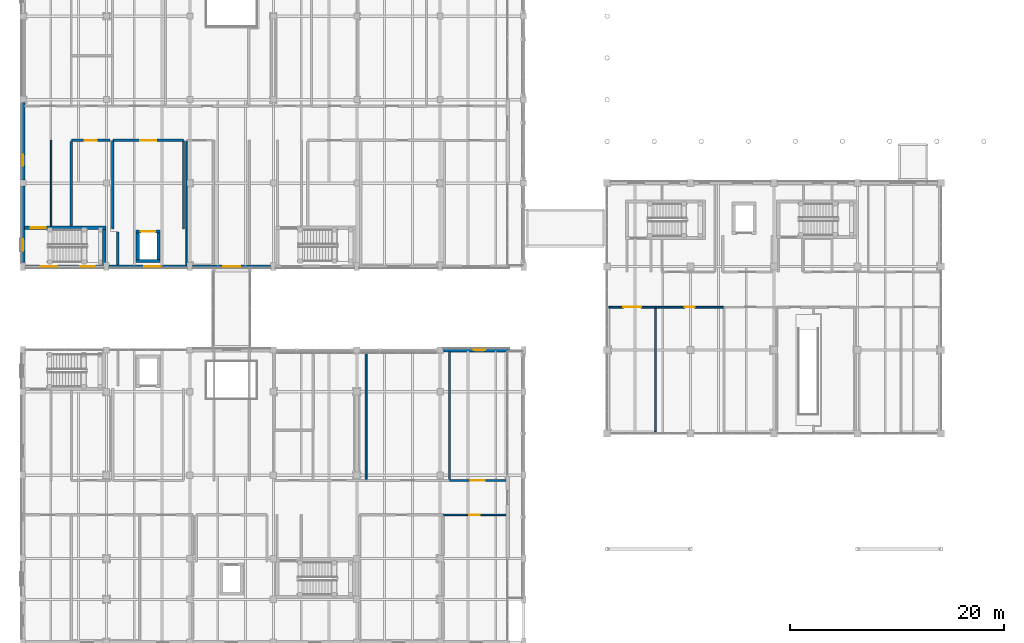
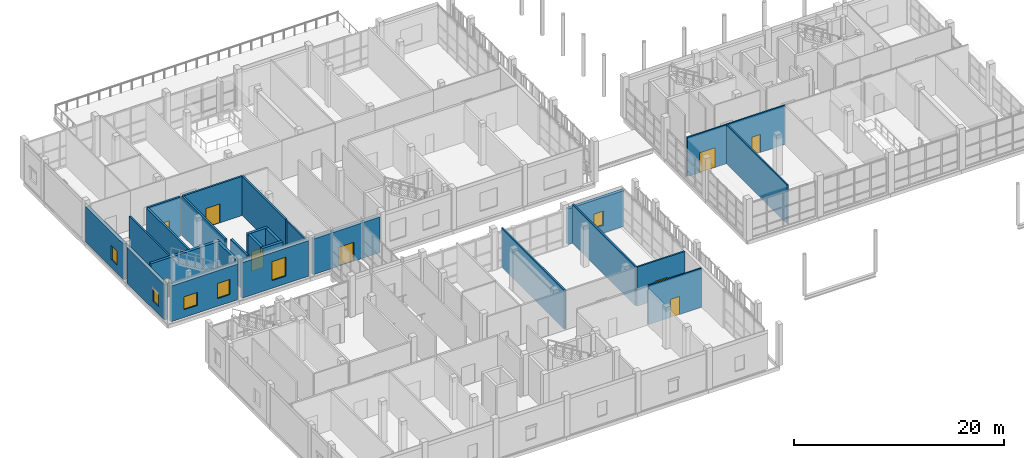
# One storey, part 102 of 138: 27 walls, 9 doors, 6 windows, 15 openings.
"""IFC4 building model written with IfcOpenShell, lengths in metres."""

from ifc_helpers import new_model, si_unit, direction, frame, frame_2d, origin, place, context, subcontext, project, spatial, rectangle, extrude, material, layer, layer_set, type_object, element, fill, save


model = new_model("IFC4")

# Units and contexts
model_context = context("Model", 3, precision=1e-05, world=origin(), true_north=direction((0.0, 1.0)))
body_context = subcontext(model_context, "Body", "Model", "MODEL_VIEW")
ifc_project = project(units=[si_unit("LENGTHUNIT", "METRE"), si_unit("AREAUNIT", "SQUARE_METRE"), si_unit("VOLUMEUNIT", "CUBIC_METRE"), si_unit("PLANEANGLEUNIT", "RADIAN"), si_unit("MASSUNIT", "GRAM", prefix="KILO")], contexts=[model_context])

# Site, building, storey
site_placement = place(None, origin())
site = spatial("IfcSite", under=ifc_project, at=site_placement, CompositionType="ELEMENT")
building_placement = place(site_placement, origin())
building = spatial("IfcBuilding", under=site, at=building_placement, Name="Celorna Specialist Clinic", CompositionType="ELEMENT")
storey_placement = place(building_placement, frame((0.0, 0.0, 4.800048828125)))
storey = spatial("IfcBuildingStorey", under=building, at=storey_placement, Name="L01", CompositionType="ELEMENT", Elevation=4.800048828125)

# Wall, openings, windows
ifc_material_1 = material(Name="Pero Pinheiro Lioz limestone insulated masonry", Category="masonry")
ifc_layer_1 = layer(ifc_material_1, 0.340087890625, Name="Pero Pinheiro Lioz limestone insulated masonry")
ifc_layer_set_1 = layer_set([ifc_layer_1], Name="Pero Pinheiro Lioz limestone insulated masonry")
wall_type_1 = type_object("IfcWallType", Name="WT-07", PredefinedType="STANDARD", material=ifc_layer_set_1)
wall_1_placement = place(storey_placement, frame((7.550048828125, 35.10009765625, 0.0), z_axis=(0.0, 0.0, 1.0), x_axis=(-1.0, 0.0, 0.0)))
wall_1 = element("IfcWall", 1, at=wall_1_placement, inside=storey, type_object=wall_type_1, Name="External facade wall WT-07 #117", PredefinedType="STANDARD", context=body_context, shape_type="SweptSolid", body=[
    extrude(rectangle(XDim=7.300048828125, YDim=0.340087890625, at=frame_2d((3.64990234375, 0.0))), origin(), (0.0, 0.0, 1.0), 4.139892578125),
])
opening_1_placement = place(wall_1_placement, frame((0.85009765625, 0.0, 0.89990234375)))
opening_1 = element("IfcOpeningElement", 2, at=opening_1_placement, cuts=wall_1, Name="Opening WN-07", PredefinedType="OPENING", context=body_context, shape_type="SweptSolid", body=[
    extrude(rectangle(XDim=1.35009765625, YDim=1.75, at=frame_2d((0.675048828125, 0.875))), frame((0.0, 0.179931640625, 0.0), z_axis=(0.0, -1.0, 0.0), x_axis=(1.0, 0.0, 0.0)), (0.0, 0.0, 1.0), 0.360107421875),
])
opening_2_placement = place(wall_1_placement, frame((4.405029296875, 0.0, 0.89990234375)))
opening_2 = element("IfcOpeningElement", 3, at=opening_2_placement, cuts=wall_1, Name="Opening WN-08", PredefinedType="OPENING", context=body_context, shape_type="SweptSolid", body=[
    extrude(rectangle(XDim=1.5, YDim=1.5, at=frame_2d((0.75, 0.75))), frame((0.0, 0.179931640625, 0.0), z_axis=(0.0, -1.0, 0.0), x_axis=(1.0, 0.0, 0.0)), (0.0, 0.0, 1.0), 0.360107421875),
])
ifc_material_2 = material(Name="Thermally broken aluminium triple-glazed window", Category="aluminium")
window_type_1 = type_object("IfcWindowType", Name="WN-07", PartitioningType="SINGLE_PANEL", PredefinedType="WINDOW", material=ifc_material_2)
window_1_placement = place(opening_1_placement, origin())
window_1 = element("IfcWindow", 4, at=window_1_placement, inside=storey, type_object=window_type_1, Name="Facade window WN-07 #28", OverallHeight=1.75, OverallWidth=1.35009765625, PartitioningType="SINGLE_PANEL", PredefinedType="WINDOW", context=body_context, shape_type="SweptSolid", body=[
    extrude(rectangle(XDim=1.35009765625, YDim=1.75, at=frame_2d((0.675048828125, 0.875))), frame((0.0, 0.030029296875, 0.0), z_axis=(0.0, -1.0, 0.0), x_axis=(1.0, 0.0, 0.0)), (0.0, 0.0, 1.0), 0.06005859375),
])
fill(opening_1, window_1)
window_type_2 = type_object("IfcWindowType", Name="WN-08", PartitioningType="SINGLE_PANEL", PredefinedType="WINDOW", material=ifc_material_2)
window_2_placement = place(opening_2_placement, origin())
window_2 = element("IfcWindow", 5, at=window_2_placement, inside=storey, type_object=window_type_2, Name="Facade window WN-08 #29", OverallHeight=1.5, OverallWidth=1.5, PartitioningType="SINGLE_PANEL", PredefinedType="WINDOW", context=body_context, shape_type="SweptSolid", body=[
    extrude(rectangle(XDim=1.5, YDim=1.5, at=frame_2d((0.75, 0.75))), frame((0.0, 0.030029296875, 0.0), z_axis=(0.0, -1.0, 0.0), x_axis=(1.0, 0.0, 0.0)), (0.0, 0.0, 1.0), 0.06005859375),
])
fill(opening_2, window_2)

# Wall, opening, window
wall_2_placement = place(storey_placement, frame((15.35009765625, 35.10009765625, 0.0), z_axis=(0.0, 0.0, 1.0), x_axis=(-1.0, 0.0, 0.0)))
wall_2 = element("IfcWall", 6, at=wall_2_placement, inside=storey, type_object=wall_type_1, Name="External facade wall WT-07 #118", PredefinedType="STANDARD", context=body_context, shape_type="SweptSolid", body=[
    extrude(rectangle(XDim=7.300048828125, YDim=0.340087890625, at=frame_2d((3.64990234375, 0.0))), origin(), (0.0, 0.0, 1.0), 4.139892578125),
])
opening_3_placement = place(wall_2_placement, frame((2.5, 0.0, 0.89990234375)))
opening_3 = element("IfcOpeningElement", 7, at=opening_3_placement, cuts=wall_2, Name="Opening WN-10", PredefinedType="OPENING", context=body_context, shape_type="SweptSolid", body=[
    extrude(rectangle(XDim=1.5, YDim=2.199951171875, at=frame_2d((0.75, 1.10009765625))), frame((0.0, 0.179931640625, 0.0), z_axis=(0.0, -1.0, 0.0), x_axis=(1.0, 0.0, 0.0)), (0.0, 0.0, 1.0), 0.360107421875),
])
window_type_3 = type_object("IfcWindowType", Name="WN-10", PartitioningType="SINGLE_PANEL", PredefinedType="WINDOW", material=ifc_material_2)
window_3_placement = place(opening_3_placement, origin())
window_3 = element("IfcWindow", 8, at=window_3_placement, inside=storey, type_object=window_type_3, Name="Facade window WN-10 #30", OverallHeight=2.199951171875, OverallWidth=1.5, PartitioningType="SINGLE_PANEL", PredefinedType="WINDOW", context=body_context, shape_type="SweptSolid", body=[
    extrude(rectangle(XDim=1.5, YDim=2.199951171875, at=frame_2d((0.75, 1.10009765625))), frame((0.0, 0.030029296875, 0.0), z_axis=(0.0, -1.0, 0.0), x_axis=(1.0, 0.0, 0.0)), (0.0, 0.0, 1.0), 0.06005859375),
])
fill(opening_3, window_3)

# Wall, opening, door
wall_3_placement = place(storey_placement, frame((23.14990234375, 35.10009765625, 0.0), z_axis=(0.0, 0.0, 1.0), x_axis=(-1.0, 0.0, 0.0)))
wall_3 = element("IfcWall", 9, at=wall_3_placement, inside=storey, type_object=wall_type_1, Name="External facade wall WT-07 #119", PredefinedType="STANDARD", context=body_context, shape_type="SweptSolid", body=[
    extrude(rectangle(XDim=7.2998046875, YDim=0.340087890625, at=frame_2d((3.64990234375, 0.0))), origin(), (0.0, 0.0, 1.0), 4.139892578125),
])
opening_4_placement = place(wall_3_placement, frame((2.85009765625, 0.0, 0.0)))
opening_4 = element("IfcOpeningElement", 10, at=opening_4_placement, cuts=wall_3, Name="Opening DR-12", PredefinedType="OPENING", context=body_context, shape_type="SweptSolid", body=[
    extrude(rectangle(XDim=1.60009765625, YDim=2.199951171875, at=frame_2d((0.800048828125, 1.10009765625))), frame((0.0, 0.179931640625, 0.0), z_axis=(0.0, -1.0, 0.0), x_axis=(1.0, 0.0, 0.0)), (0.0, 0.0, 1.0), 0.360107421875),
])
ifc_material_3 = material(Name="Corridor cross-compartment pair door")
door_type_1 = type_object("IfcDoorType", Name="DR-12", OperationType="DOUBLE_DOOR_SINGLE_SWING", PredefinedType="DOOR", material=ifc_material_3)
door_1_placement = place(opening_4_placement, frame((1.60009765625, 0.0, 0.0), z_axis=(0.0, 0.0, 1.0), x_axis=(-1.0, 0.0, 0.0)))
door_1 = element("IfcDoor", 11, at=door_1_placement, inside=storey, type_object=door_type_1, Name="Bridge BR-01 north/east portal door L01", OperationType="DOUBLE_DOOR_SINGLE_SWING", OverallHeight=2.199951171875, OverallWidth=1.60009765625, PredefinedType="DOOR", context=body_context, shape_type="SweptSolid", body=[
    extrude(rectangle(XDim=1.60009765625, YDim=2.199951171875, at=frame_2d((0.800048828125, 1.10009765625))), frame((0.0, 0.02490234375, 0.0), z_axis=(0.0, -1.0, 0.0), x_axis=(1.0, 0.0, 0.0)), (0.0, 0.0, 1.0), 0.050048828125),
])
fill(opening_4, door_1)

# Wall, opening, window
wall_4_placement = place(storey_placement, frame((0.0, 35.47509765625, 0.0), z_axis=(0.0, 0.0, 1.0), x_axis=(0.0, 1.0, 0.0)))
wall_4 = element("IfcWall", 12, at=wall_4_placement, inside=storey, type_object=wall_type_1, Name="External facade wall WT-07 #125", PredefinedType="STANDARD", context=body_context, shape_type="SweptSolid", body=[
    extrude(rectangle(XDim=7.14990234375, YDim=0.340087890625, at=frame_2d((3.574951171875, 0.0))), origin(), (0.0, 0.0, 1.0), 4.139892578125),
])
opening_5_placement = place(wall_4_placement, frame((1.08740234375, 0.0, 0.89990234375)))
opening_5 = element("IfcOpeningElement", 13, at=opening_5_placement, cuts=wall_4, Name="Opening WN-03", PredefinedType="OPENING", context=body_context, shape_type="SweptSolid", body=[
    extrude(rectangle(XDim=1.10009765625, YDim=1.60009765625, at=frame_2d((0.550048828125, 0.800048828125))), frame((0.0, 0.179931640625, 0.0), z_axis=(0.0, -1.0, 0.0), x_axis=(1.0, 0.0, 0.0)), (0.0, 0.0, 1.0), 0.360107421875),
])
window_type_4 = type_object("IfcWindowType", Name="WN-03", PartitioningType="SINGLE_PANEL", PredefinedType="WINDOW", material=ifc_material_2)
window_4_placement = place(opening_5_placement, origin())
window_4 = element("IfcWindow", 14, at=window_4_placement, inside=storey, type_object=window_type_4, Name="Facade window WN-03 #36", OverallHeight=1.60009765625, OverallWidth=1.10009765625, PartitioningType="SINGLE_PANEL", PredefinedType="WINDOW", context=body_context, shape_type="SweptSolid", body=[
    extrude(rectangle(XDim=1.10009765625, YDim=1.60009765625, at=frame_2d((0.550048828125, 0.800048828125))), frame((0.0, 0.030029296875, 0.0), z_axis=(0.0, -1.0, 0.0), x_axis=(1.0, 0.0, 0.0)), (0.0, 0.0, 1.0), 0.06005859375),
])
fill(opening_5, window_4)

wall_5_placement = place(storey_placement, frame((0.0, 43.175048828125, 0.0), z_axis=(0.0, 0.0, 1.0), x_axis=(0.0, 1.0, 0.0)))
wall_5 = element("IfcWall", 15, at=wall_5_placement, inside=storey, type_object=wall_type_1, Name="External facade wall WT-07 #126", PredefinedType="STANDARD", context=body_context, shape_type="SweptSolid", body=[
    extrude(rectangle(XDim=7.25, YDim=0.340087890625, at=frame_2d((3.625, 0.0))), origin(), (0.0, 0.0, 1.0), 4.139892578125),
])
opening_6_placement = place(wall_5_placement, frame((1.347412109375, 0.0, 0.89990234375)))
opening_6 = element("IfcOpeningElement", 16, at=opening_6_placement, cuts=wall_5, Name="Opening WN-21", PredefinedType="OPENING", context=body_context, shape_type="SweptSolid", body=[
    extrude(rectangle(XDim=1.050048828125, YDim=1.64990234375, at=frame_2d((0.52490234375, 0.824951171875))), frame((0.0, 0.179931640625, 0.0), z_axis=(0.0, -1.0, 0.0), x_axis=(1.0, 0.0, 0.0)), (0.0, 0.0, 1.0), 0.360107421875),
])
window_type_5 = type_object("IfcWindowType", Name="WN-21", PartitioningType="SINGLE_PANEL", PredefinedType="WINDOW", material=ifc_material_2)
window_5_placement = place(opening_6_placement, origin())
window_5 = element("IfcWindow", 17, at=window_5_placement, inside=storey, type_object=window_type_5, Name="Facade window WN-21 #37", OverallHeight=1.64990234375, OverallWidth=1.050048828125, PartitioningType="SINGLE_PANEL", PredefinedType="WINDOW", context=body_context, shape_type="SweptSolid", body=[
    extrude(rectangle(XDim=1.050048828125, YDim=1.64990234375, at=frame_2d((0.52490234375, 0.824951171875))), frame((0.0, 0.030029296875, 0.0), z_axis=(0.0, -1.0, 0.0), x_axis=(1.0, 0.0, 0.0)), (0.0, 0.0, 1.0), 0.06005859375),
])
fill(opening_6, window_5)

wall_6_placement = place(storey_placement, frame((39.300048828125, 27.300048828125, 0.0), z_axis=(0.0, 0.0, 1.0), x_axis=(1.0, 0.0, 0.0)))
wall_6 = element("IfcWall", 18, at=wall_6_placement, inside=storey, type_object=wall_type_1, Name="External facade wall WT-07 #329", PredefinedType="STANDARD", context=body_context, shape_type="SweptSolid", body=[
    extrude(rectangle(XDim=6.169921875, YDim=0.340087890625, at=frame_2d((3.0849609375, 0.0))), origin(), (0.0, 0.0, 1.0), 4.139892578125),
])
opening_7_placement = place(wall_6_placement, frame((2.8349609375, 0.0, 0.89990234375)))
opening_7 = element("IfcOpeningElement", 19, at=opening_7_placement, cuts=wall_6, Name="Opening WN-21", PredefinedType="OPENING", context=body_context, shape_type="SweptSolid", body=[
    extrude(rectangle(XDim=1.050048828125, YDim=1.64990234375, at=frame_2d((0.52490234375, 0.824951171875))), frame((0.0, 0.179931640625, 0.0), z_axis=(0.0, -1.0, 0.0), x_axis=(1.0, 0.0, 0.0)), (0.0, 0.0, 1.0), 0.360107421875),
])
window_6_placement = place(opening_7_placement, origin())
window_6 = element("IfcWindow", 20, at=window_6_placement, inside=storey, type_object=window_type_5, Name="Facade window WN-21 #198", OverallHeight=1.64990234375, OverallWidth=1.050048828125, PartitioningType="SINGLE_PANEL", PredefinedType="WINDOW", context=body_context, shape_type="SweptSolid", body=[
    extrude(rectangle(XDim=1.050048828125, YDim=1.64990234375, at=frame_2d((0.52490234375, 0.824951171875))), frame((0.0, 0.030029296875, 0.0), z_axis=(0.0, -1.0, 0.0), x_axis=(1.0, 0.0, 0.0)), (0.0, 0.0, 1.0), 0.06005859375),
])
fill(opening_7, window_6)

# Wall, opening, door
ifc_material_4 = material(Name="Concrete C35/45", Category="concrete")
ifc_layer_2 = layer(ifc_material_4, 0.300048828125, Name="Concrete C35/45")
ifc_layer_set_2 = layer_set([ifc_layer_2], Name="Concrete C35/45")
wall_type_2 = type_object("IfcWallType", Name="WT-08", PredefinedType="SHEAR", material=ifc_layer_set_2)
wall_7_placement = place(storey_placement, frame((7.739990234375, 38.72998046875, 0.0), z_axis=(0.0, 0.0, 1.0), x_axis=(-1.0, 0.0, 0.0)))
wall_7 = element("IfcWall", 21, at=wall_7_placement, inside=storey, type_object=wall_type_2, Name="Stair ST-06 RC core wall L01 north", PredefinedType="SHEAR", context=body_context, shape_type="SweptSolid", body=[
    extrude(rectangle(XDim=7.590087890625, YDim=0.300048828125, at=frame_2d((3.794921875, 0.0))), origin(), (0.0, 0.0, 1.0), 4.5400390625),
])
opening_8_placement = place(wall_7_placement, frame((5.60009765625, 0.0, 0.0)))
opening_8 = element("IfcOpeningElement", 22, at=opening_8_placement, cuts=wall_7, Name="Opening DR-10", PredefinedType="OPENING", context=body_context, shape_type="SweptSolid", body=[
    extrude(rectangle(XDim=1.39990234375, YDim=2.199951171875, at=frame_2d((0.699951171875, 1.10009765625))), frame((0.0, 0.159912109375, 0.0), z_axis=(0.0, -1.0, 0.0), x_axis=(1.0, 0.0, 0.0)), (0.0, 0.0, 1.0), 0.320068359375),
])
ifc_material_5 = material(Name="Protected exit stair fire door")
door_type_2 = type_object("IfcDoorType", Name="DR-10", OperationType="NOTDEFINED", PredefinedType="DOOR", material=ifc_material_5)
door_2_placement = place(opening_8_placement, origin())
door_2 = element("IfcDoor", 23, at=door_2_placement, inside=storey, type_object=door_type_2, Name="Protected exit stair door ST-06 L01", OperationType="SINGLE_SWING_RIGHT", OverallHeight=2.199951171875, OverallWidth=1.39990234375, PredefinedType="DOOR", context=body_context, shape_type="SweptSolid", body=[
    extrude(rectangle(XDim=1.39990234375, YDim=2.199951171875, at=frame_2d((0.699951171875, 1.10009765625))), frame((0.0, 0.02490234375, 0.0), z_axis=(0.0, -1.0, 0.0), x_axis=(1.0, 0.0, 0.0)), (0.0, 0.0, 1.0), 0.050048828125),
])
fill(opening_8, door_2)

# Walls
wall_8_placement = place(storey_placement, frame((7.590087890625, 35.25, 0.0), z_axis=(0.0, 0.0, 1.0), x_axis=(0.0, 1.0, 0.0)))
element("IfcWall", 24, at=wall_8_placement, inside=storey, type_object=wall_type_2, Name="Stair ST-06 RC core wall L01 east", PredefinedType="SHEAR", context=body_context, shape_type="SweptSolid", body=[
    extrude(rectangle(XDim=3.330078125, YDim=0.300048828125, at=frame_2d((1.6650390625, 0.0))), origin(), (0.0, 0.0, 1.0), 4.5400390625),
])
wall_9_placement = place(storey_placement, frame((10.574951171875, 35.625, 0.0), z_axis=(0.0, 0.0, 1.0), x_axis=(1.0, 0.0, 0.0)))
element("IfcWall", 25, at=wall_9_placement, inside=storey, type_object=wall_type_2, Name="Lift LF-06 RC shaft wall L01", PredefinedType="SHEAR", context=body_context, shape_type="SweptSolid", body=[
    extrude(rectangle(XDim=2.25, YDim=0.300048828125, at=frame_2d((1.125, 0.0))), origin(), (0.0, 0.0, 1.0), 4.5400390625),
])

# Wall, opening, door
wall_10_placement = place(storey_placement, frame((12.824951171875, 38.375, 0.0), z_axis=(0.0, 0.0, 1.0), x_axis=(-1.0, 0.0, 0.0)))
wall_10 = element("IfcWall", 26, at=wall_10_placement, inside=storey, type_object=wall_type_2, Name="Lift LF-06 RC shaft wall L01", PredefinedType="SHEAR", context=body_context, shape_type="SweptSolid", body=[
    extrude(rectangle(XDim=2.25, YDim=0.300048828125, at=frame_2d((1.125, 0.0))), origin(), (0.0, 0.0, 1.0), 4.5400390625),
])
opening_9_placement = place(wall_10_placement, frame((0.449951171875, 0.0, 0.0)))
opening_9 = element("IfcOpeningElement", 27, at=opening_9_placement, cuts=wall_10, Name="Opening LD-02", PredefinedType="OPENING", context=body_context, shape_type="SweptSolid", body=[
    extrude(rectangle(XDim=1.35009765625, YDim=2.300048828125, at=frame_2d((0.675048828125, 1.14990234375))), frame((0.0, 0.159912109375, 0.0), z_axis=(0.0, -1.0, 0.0), x_axis=(1.0, 0.0, 0.0)), (0.0, 0.0, 1.0), 0.320068359375),
])
ifc_material_6 = material(Name="Firefighting stretcher lift landing sliding door")
door_type_3 = type_object("IfcDoorType", Name="LD-02", OperationType="DOUBLE_DOOR_SLIDING", PredefinedType="DOOR", material=ifc_material_6)
door_3_placement = place(opening_9_placement, origin())
door_3 = element("IfcDoor", 28, at=door_3_placement, inside=storey, type_object=door_type_3, Name="Lift LF-06 sliding landing door L01", OperationType="DOUBLE_DOOR_SLIDING", OverallHeight=2.300048828125, OverallWidth=1.35009765625, PredefinedType="DOOR", context=body_context, shape_type="SweptSolid", body=[
    extrude(rectangle(XDim=1.35009765625, YDim=2.300048828125, at=frame_2d((0.675048828125, 1.14990234375))), frame((0.0, 0.02490234375, 0.0), z_axis=(0.0, -1.0, 0.0), x_axis=(1.0, 0.0, 0.0)), (0.0, 0.0, 1.0), 0.050048828125),
])
fill(opening_9, door_3)

# Walls
for number, where, z_axis, x_axis, name in (
    (29, (10.72509765625, 38.22509765625, 0.0), (0.0, 0.0, 1.0), (0.0, -1.0, 0.0), "Lift LF-06 RC shaft wall L01"),
    (30, (12.675048828125, 35.77490234375, 0.0), (0.0, 0.0, 1.0), (0.0, 1.0, 0.0), "Lift LF-06 RC shaft wall L01"),
):
    element("IfcWall", number, at=place(storey_placement, frame(where, z_axis=z_axis, x_axis=x_axis)), inside=storey, type_object=wall_type_2, Name=name, PredefinedType="SHEAR", context=body_context, shape_type="SweptSolid", body=[
        extrude(rectangle(XDim=2.4501953125, YDim=0.300048828125, at=frame_2d((1.22509765625, 0.0))), origin(), (0.0, 0.0, 1.0), 4.5400390625),
    ])

# Wall, opening, door
ifc_material_7 = material(Name="Lead-lined gypsum and masonry partition", Category="masonry")
ifc_layer_3 = layer(ifc_material_7, 0.219970703125, Name="Lead-lined gypsum and masonry partition")
ifc_layer_set_3 = layer_set([ifc_layer_3], Name="Lead-lined gypsum and masonry partition")
wall_type_3 = type_object("IfcWallType", Name="WT-11", PredefinedType="PARTITIONING", material=ifc_layer_set_3)
wall_11_placement = place(storey_placement, frame((8.14990234375, 46.89990234375, 0.0), z_axis=(0.0, 0.0, 1.0), x_axis=(-1.0, 0.0, 0.0)))
wall_11 = element("IfcWall", 31, at=wall_11_placement, inside=storey, type_object=wall_type_3, Name="Interior partition WT-11 L01-024", PredefinedType="PARTITIONING", context=body_context, shape_type="SweptSolid", body=[
    extrude(rectangle(XDim=3.6298828125, YDim=0.219970703125, at=frame_2d((1.81494140625, 0.0))), origin(), (0.0, 0.0, 1.0), 4.5400390625),
])
opening_10_placement = place(wall_11_placement, frame((1.22998046875, 0.0, 0.0)))
opening_10 = element("IfcOpeningElement", 32, at=opening_10_placement, cuts=wall_11, Name="Opening DR-07", PredefinedType="OPENING", context=body_context, shape_type="SweptSolid", body=[
    extrude(rectangle(XDim=1.14990234375, YDim=2.199951171875, at=frame_2d((0.574951171875, 1.10009765625))), frame((0.0, 0.119873046875, 0.0), z_axis=(0.0, -1.0, 0.0), x_axis=(1.0, 0.0, 0.0)), (0.0, 0.0, 1.0), 0.239990234375),
])
ifc_material_8 = material(Name="Hermetic cleanroom airlock door")
door_type_4 = type_object("IfcDoorType", Name="DR-07", OperationType="NOTDEFINED", PredefinedType="DOOR", material=ifc_material_8)
door_4_placement = place(opening_10_placement, origin())
door_4 = element("IfcDoor", 33, at=door_4_placement, inside=storey, type_object=door_type_4, Name="Digital Radiography X-Ray Room door L01-024", OperationType="SINGLE_SWING_RIGHT", OverallHeight=2.199951171875, OverallWidth=1.14990234375, PredefinedType="DOOR", context=body_context, shape_type="SweptSolid", body=[
    extrude(rectangle(XDim=1.14990234375, YDim=2.199951171875, at=frame_2d((0.574951171875, 1.10009765625))), frame((0.0, 0.02490234375, 0.0), z_axis=(0.0, -1.0, 0.0), x_axis=(1.0, 0.0, 0.0)), (0.0, 0.0, 1.0), 0.050048828125),
])
fill(opening_10, door_4)

# Walls
wall_12_placement = place(storey_placement, frame((4.52001953125, 38.8798828125, 0.0), z_axis=(0.0, 0.0, 1.0), x_axis=(0.0, 1.0, 0.0)))
element("IfcWall", 34, at=wall_12_placement, inside=storey, type_object=wall_type_3, Name="Room dividing partition WT-11 L01-024", PredefinedType="PARTITIONING", context=body_context, shape_type="SweptSolid", body=[
    extrude(rectangle(XDim=7.91015625, YDim=0.219970703125, at=frame_2d((3.955078125, 0.0))), origin(), (0.0, 0.0, 1.0), 4.5400390625),
])
wall_13_placement = place(storey_placement, frame((8.8701171875, 35.27001953125, 0.0), z_axis=(0.0, 0.0, 1.0), x_axis=(0.0, 1.0, 0.0)))
element("IfcWall", 35, at=wall_13_placement, inside=storey, type_object=wall_type_3, Name="Room dividing partition WT-11 L01-024", PredefinedType="PARTITIONING", context=body_context, shape_type="SweptSolid", body=[
    extrude(rectangle(XDim=3.080078125, YDim=0.219970703125, at=frame_2d((1.5400390625, 0.0))), origin(), (0.0, 0.0, 1.0), 4.5400390625),
])

# Wall, opening, door
ifc_layer_4 = layer(ifc_material_4, 0.199951171875, Name="Concrete C35/45")
ifc_layer_set_4 = layer_set([ifc_layer_4], Name="Concrete C35/45")
wall_type_4 = type_object("IfcWallType", Name="WT-12", PredefinedType="SOLIDWALL", material=ifc_layer_set_4)
wall_14_placement = place(storey_placement, frame((15.0, 46.89990234375, 0.0), z_axis=(0.0, 0.0, 1.0), x_axis=(-1.0, 0.0, 0.0)))
wall_14 = element("IfcWall", 36, at=wall_14_placement, inside=storey, type_object=wall_type_4, Name="Lift lobby wall LF-06 L01", PredefinedType="SOLIDWALL", context=body_context, shape_type="SweptSolid", body=[
    extrude(rectangle(XDim=6.60009765625, YDim=0.199951171875, at=frame_2d((3.300048828125, 0.0))), origin(), (0.0, 0.0, 1.0), 4.5400390625),
])
opening_11_placement = place(wall_14_placement, frame((2.550048828125, 0.0, 0.0)))
opening_11 = element("IfcOpeningElement", 37, at=opening_11_placement, cuts=wall_14, Name="Opening DR-11", PredefinedType="OPENING", context=body_context, shape_type="SweptSolid", body=[
    extrude(rectangle(XDim=1.5, YDim=2.199951171875, at=frame_2d((0.75, 1.10009765625))), frame((0.0, 0.10986328125, 0.0), z_axis=(0.0, -1.0, 0.0), x_axis=(1.0, 0.0, 0.0)), (0.0, 0.0, 1.0), 0.219970703125),
])
ifc_material_9 = material(Name="Firefighting lobby double fire door")
door_type_5 = type_object("IfcDoorType", Name="DR-11", OperationType="DOUBLE_DOOR_SINGLE_SWING", PredefinedType="DOOR", material=ifc_material_9)
door_5_placement = place(opening_11_placement, origin())
door_5 = element("IfcDoor", 38, at=door_5_placement, inside=storey, type_object=door_type_5, Name="Lift lobby fire door LF-06 L01", OperationType="DOUBLE_DOOR_SINGLE_SWING", OverallHeight=2.199951171875, OverallWidth=1.5, PredefinedType="DOOR", context=body_context, shape_type="SweptSolid", body=[
    extrude(rectangle(XDim=1.5, YDim=2.199951171875, at=frame_2d((0.75, 1.10009765625))), frame((0.0, 0.02490234375, 0.0), z_axis=(0.0, -1.0, 0.0), x_axis=(1.0, 0.0, 0.0)), (0.0, 0.0, 1.0), 0.050048828125),
])
fill(opening_11, door_5)

# Walls
for number, where, z_axis, x_axis, name in (
    (39, (8.39990234375, 46.89990234375, 0.0), (0.0, 0.0, 1.0), (0.0, -1.0, 0.0), "Lift lobby wall LF-06 L01"),
    (40, (15.0, 38.60009765625, 0.0), (0.0, 0.0, 1.0), (0.0, 1.0, 0.0), "Lift lobby wall LF-06 L01"),
):
    element("IfcWall", number, at=place(storey_placement, frame(where, z_axis=z_axis, x_axis=x_axis)), inside=storey, type_object=wall_type_4, Name=name, PredefinedType="SOLIDWALL", context=body_context, shape_type="SweptSolid", body=[
        extrude(rectangle(XDim=8.2998046875, YDim=0.199951171875, at=frame_2d((4.14990234375, 0.0))), origin(), (0.0, 0.0, 1.0), 4.5400390625),
    ])

# Wall, opening, door
ifc_material_10 = material(Name="Acoustic masonry clinical partition", Category="masonry")
ifc_layer_5 = layer(ifc_material_10, 0.179931640625, Name="Acoustic masonry clinical partition")
ifc_layer_set_5 = layer_set([ifc_layer_5], Name="Acoustic masonry clinical partition")
wall_type_5 = type_object("IfcWallType", Name="WT-13", PredefinedType="PARTITIONING", material=ifc_layer_set_5)
wall_15_placement = place(storey_placement, frame((39.8701171875, 15.10009765625, 0.0), z_axis=(0.0, 0.0, 1.0), x_axis=(1.0, 0.0, 0.0)))
wall_15 = element("IfcWall", 41, at=wall_15_placement, inside=storey, type_object=wall_type_5, Name="Interior partition WT-13 L01-103", PredefinedType="PARTITIONING", context=body_context, shape_type="SweptSolid", body=[
    extrude(rectangle(XDim=5.259765625, YDim=0.179931640625, at=frame_2d((2.6298828125, 0.0))), origin(), (0.0, 0.0, 1.0), 4.5400390625),
])
opening_12_placement = place(wall_15_placement, frame((1.97998046875, 0.0, 0.0)))
opening_12 = element("IfcOpeningElement", 42, at=opening_12_placement, cuts=wall_15, Name="Opening DR-09", PredefinedType="OPENING", context=body_context, shape_type="SweptSolid", body=[
    extrude(rectangle(XDim=1.300048828125, YDim=2.199951171875, at=frame_2d((0.64990234375, 1.10009765625))), frame((0.0, 0.099853515625, 0.0), z_axis=(0.0, -1.0, 0.0), x_axis=(1.0, 0.0, 0.0)), (0.0, 0.0, 1.0), 0.199951171875),
])
ifc_material_11 = material(Name="Lead-lined radiology room door")
door_type_6 = type_object("IfcDoorType", Name="DR-09", OperationType="NOTDEFINED", PredefinedType="DOOR", material=ifc_material_11)
door_6_placement = place(opening_12_placement, origin())
door_6 = element("IfcDoor", 43, at=door_6_placement, inside=storey, type_object=door_type_6, Name="Cleanroom Gowning Airlock door L01-103", OperationType="SINGLE_SWING_RIGHT", OverallHeight=2.199951171875, OverallWidth=1.300048828125, PredefinedType="DOOR", context=body_context, shape_type="SweptSolid", body=[
    extrude(rectangle(XDim=1.300048828125, YDim=2.199951171875, at=frame_2d((0.64990234375, 1.10009765625))), frame((0.0, 0.02490234375, 0.0), z_axis=(0.0, -1.0, 0.0), x_axis=(1.0, 0.0, 0.0)), (0.0, 0.0, 1.0), 0.050048828125),
])
fill(opening_12, door_6)

# Walls
for number, where, z_axis, x_axis, name in (
    (44, (32.070068359375, 15.18994140625, 0.0), (0.0, 0.0, 1.0), (0.0, 1.0, 0.0), "Room dividing partition WT-13 L01-101"),
    (45, (39.8701171875, 15.18994140625, 0.0), (0.0, 0.0, 1.0), (0.0, 1.0, 0.0), "Room dividing partition WT-13 L01-102"),
):
    element("IfcWall", number, at=place(storey_placement, frame(where, z_axis=z_axis, x_axis=x_axis)), inside=storey, type_object=wall_type_5, Name=name, PredefinedType="PARTITIONING", context=body_context, shape_type="SweptSolid", body=[
        extrude(rectangle(XDim=11.93994140625, YDim=0.179931640625, at=frame_2d((5.969970703125, 0.0))), origin(), (0.0, 0.0, 1.0), 4.5400390625),
    ])
ifc_material_12 = material(Name="Fire-rated gypsum board partition")
ifc_layer_6 = layer(ifc_material_12, 0.14990234375, Name="Fire-rated gypsum board partition")
ifc_layer_set_6 = layer_set([ifc_layer_6], Name="Fire-rated gypsum board partition")
wall_type_6 = type_object("IfcWallType", Name="WT-14", PredefinedType="PARTITIONING", material=ifc_layer_set_6)
wall_16_placement = place(storey_placement, frame((2.639892578125, 38.8798828125, 0.0), z_axis=(0.0, 0.0, 1.0), x_axis=(0.0, 1.0, 0.0)))
element("IfcWall", 46, at=wall_16_placement, inside=storey, type_object=wall_type_6, Name="Corridor spur partition WT-14", PredefinedType="PARTITIONING", context=body_context, shape_type="SweptSolid", body=[
    extrude(rectangle(XDim=8.02001953125, YDim=0.14990234375, at=frame_2d((4.010009765625, 0.0))), origin(), (0.0, 0.0, 1.0), 4.2099609375),
])

# Wall, opening, door
wall_17_placement = place(storey_placement, frame((45.1298828125, 11.89990234375, 0.0), z_axis=(0.0, 0.0, 1.0), x_axis=(-1.0, 0.0, 0.0)))
wall_17 = element("IfcWall", 47, at=wall_17_placement, inside=storey, type_object=wall_type_6, Name="Interior partition WT-14 L01-098", PredefinedType="PARTITIONING", context=body_context, shape_type="SweptSolid", body=[
    extrude(rectangle(XDim=5.85986328125, YDim=0.14990234375, at=frame_2d((2.929931640625, 0.0))), origin(), (0.0, 0.0, 1.0), 4.5400390625),
])
opening_13_placement = place(wall_17_placement, frame((2.429931640625, 0.0, 0.0)))
opening_13 = element("IfcOpeningElement", 48, at=opening_13_placement, cuts=wall_17, Name="Opening DR-04", PredefinedType="OPENING", context=body_context, shape_type="SweptSolid", body=[
    extrude(rectangle(XDim=1.0, YDim=2.10009765625, at=frame_2d((0.5, 1.050048828125))), frame((0.0, 0.0849609375, 0.0), z_axis=(0.0, -1.0, 0.0), x_axis=(1.0, 0.0, 0.0)), (0.0, 0.0, 1.0), 0.169921875),
])
ifc_material_13 = material(Name="Timber consultation suite door", Category="wood")
door_type_7 = type_object("IfcDoorType", Name="DR-04", OperationType="NOTDEFINED", PredefinedType="DOOR", material=ifc_material_13)
door_7_placement = place(opening_13_placement, origin())
door_7 = element("IfcDoor", 49, at=door_7_placement, inside=storey, type_object=door_type_7, Name="Histopathology Microscopy Suite door L01-098", OperationType="SINGLE_SWING_LEFT", OverallHeight=2.10009765625, OverallWidth=1.0, PredefinedType="DOOR", context=body_context, shape_type="SweptSolid", body=[
    extrude(rectangle(XDim=1.0, YDim=2.10009765625, at=frame_2d((0.5, 1.050048828125))), frame((0.0, 0.02490234375, 0.0), z_axis=(0.0, -1.0, 0.0), x_axis=(1.0, 0.0, 0.0)), (0.0, 0.0, 1.0), 0.050048828125),
])
fill(opening_13, door_7)

wall_18_placement = place(storey_placement, frame((59.1201171875, 31.300048828125, 0.0), z_axis=(0.0, 0.0, 1.0), x_axis=(-1.0, 0.0, 0.0)))
wall_18 = element("IfcWall", 50, at=wall_18_placement, inside=storey, type_object=wall_type_6, Name="Interior partition WT-14 L01-106", PredefinedType="PARTITIONING", context=body_context, shape_type="SweptSolid", body=[
    extrude(rectangle(XDim=4.35009765625, YDim=0.14990234375, at=frame_2d((2.175048828125, 0.0))), origin(), (0.0, 0.0, 1.0), 4.5400390625),
])
opening_14_placement = place(wall_18_placement, frame((1.31494140625, 0.0, 0.0)))
opening_14 = element("IfcOpeningElement", 51, at=opening_14_placement, cuts=wall_18, Name="Opening DR-24", PredefinedType="OPENING", context=body_context, shape_type="SweptSolid", body=[
    extrude(rectangle(XDim=1.719970703125, YDim=2.300048828125, at=frame_2d((0.85986328125, 1.14990234375))), frame((0.0, 0.0849609375, 0.0), z_axis=(0.0, -1.0, 0.0), x_axis=(1.0, 0.0, 0.0)), (0.0, 0.0, 1.0), 0.169921875),
])
ifc_material_14 = material(Name="Double leaf clinical waiting door")
door_type_8 = type_object("IfcDoorType", Name="DR-24", OperationType="DOUBLE_DOOR_SINGLE_SWING", PredefinedType="DOOR", material=ifc_material_14)
door_8_placement = place(opening_14_placement, origin())
door_8 = element("IfcDoor", 52, at=door_8_placement, inside=storey, type_object=door_type_8, Name="Medical Library and Reading Room door L01-106", OperationType="DOUBLE_DOOR_SINGLE_SWING", OverallHeight=2.300048828125, OverallWidth=1.719970703125, PredefinedType="DOOR", context=body_context, shape_type="SweptSolid", body=[
    extrude(rectangle(XDim=1.719970703125, YDim=2.300048828125, at=frame_2d((0.85986328125, 1.14990234375))), frame((0.0, 0.02490234375, 0.0), z_axis=(0.0, -1.0, 0.0), x_axis=(1.0, 0.0, 0.0)), (0.0, 0.0, 1.0), 0.050048828125),
])
fill(opening_14, door_8)

wall_19_placement = place(storey_placement, frame((65.52001953125, 31.300048828125, 0.0), z_axis=(0.0, 0.0, 1.0), x_axis=(-1.0, 0.0, 0.0)))
wall_19 = element("IfcWall", 53, at=wall_19_placement, inside=storey, type_object=wall_type_6, Name="Interior partition WT-14 L01-107", PredefinedType="PARTITIONING", context=body_context, shape_type="SweptSolid", body=[
    extrude(rectangle(XDim=6.39990234375, YDim=0.14990234375, at=frame_2d((3.199951171875, 0.0))), origin(), (0.0, 0.0, 1.0), 4.5400390625),
])
opening_15_placement = place(wall_19_placement, frame((2.75, 0.0, 0.0)))
opening_15 = element("IfcOpeningElement", 54, at=opening_15_placement, cuts=wall_19, Name="Opening DR-02", PredefinedType="OPENING", context=body_context, shape_type="SweptSolid", body=[
    extrude(rectangle(XDim=0.89990234375, YDim=2.10009765625, at=frame_2d((0.449951171875, 1.050048828125))), frame((0.0, 0.0849609375, 0.0), z_axis=(0.0, -1.0, 0.0), x_axis=(1.0, 0.0, 0.0)), (0.0, 0.0, 1.0), 0.169921875),
])
ifc_material_15 = material(Name="Timber acoustic clinical door", Category="wood")
door_type_9 = type_object("IfcDoorType", Name="DR-02", OperationType="NOTDEFINED", PredefinedType="DOOR", material=ifc_material_15)
door_9_placement = place(opening_15_placement, origin())
door_9 = element("IfcDoor", 55, at=door_9_placement, inside=storey, type_object=door_type_9, Name="Clinical Trials Reception Suite door L01-107", OperationType="SINGLE_SWING_RIGHT", OverallHeight=2.10009765625, OverallWidth=0.89990234375, PredefinedType="DOOR", context=body_context, shape_type="SweptSolid", body=[
    extrude(rectangle(XDim=0.89990234375, YDim=2.10009765625, at=frame_2d((0.449951171875, 1.050048828125))), frame((0.0, 0.02490234375, 0.0), z_axis=(0.0, -1.0, 0.0), x_axis=(1.0, 0.0, 0.0)), (0.0, 0.0, 1.0), 0.050048828125),
])
fill(opening_15, door_9)

# Walls
wall_20_placement = place(storey_placement, frame((15.27001953125, 35.27001953125, 0.0), z_axis=(0.0, 0.0, 1.0), x_axis=(0.0, 1.0, 0.0)))
element("IfcWall", 56, at=wall_20_placement, inside=storey, type_object=wall_type_6, Name="Room dividing partition WT-14 L01-025", PredefinedType="PARTITIONING", context=body_context, shape_type="SweptSolid", body=[
    extrude(rectangle(XDim=11.554931640625, YDim=0.14990234375, at=frame_2d((5.77734375, 0.0))), origin(), (0.0, 0.0, 1.0), 4.08984375),
])
wall_21_placement = place(storey_placement, frame((59.1201171875, 19.669921875, 0.0), z_axis=(0.0, 0.0, 1.0), x_axis=(0.0, 1.0, 0.0)))
element("IfcWall", 57, at=wall_21_placement, inside=storey, type_object=wall_type_6, Name="Room dividing partition WT-14 L01-106", PredefinedType="PARTITIONING", context=body_context, shape_type="SweptSolid", body=[
    extrude(rectangle(XDim=11.55517578125, YDim=0.14990234375, at=frame_2d((5.777587890625, 0.0))), origin(), (0.0, 0.0, 1.0), 4.5400390625),
])

save(model, "model.ifc")
